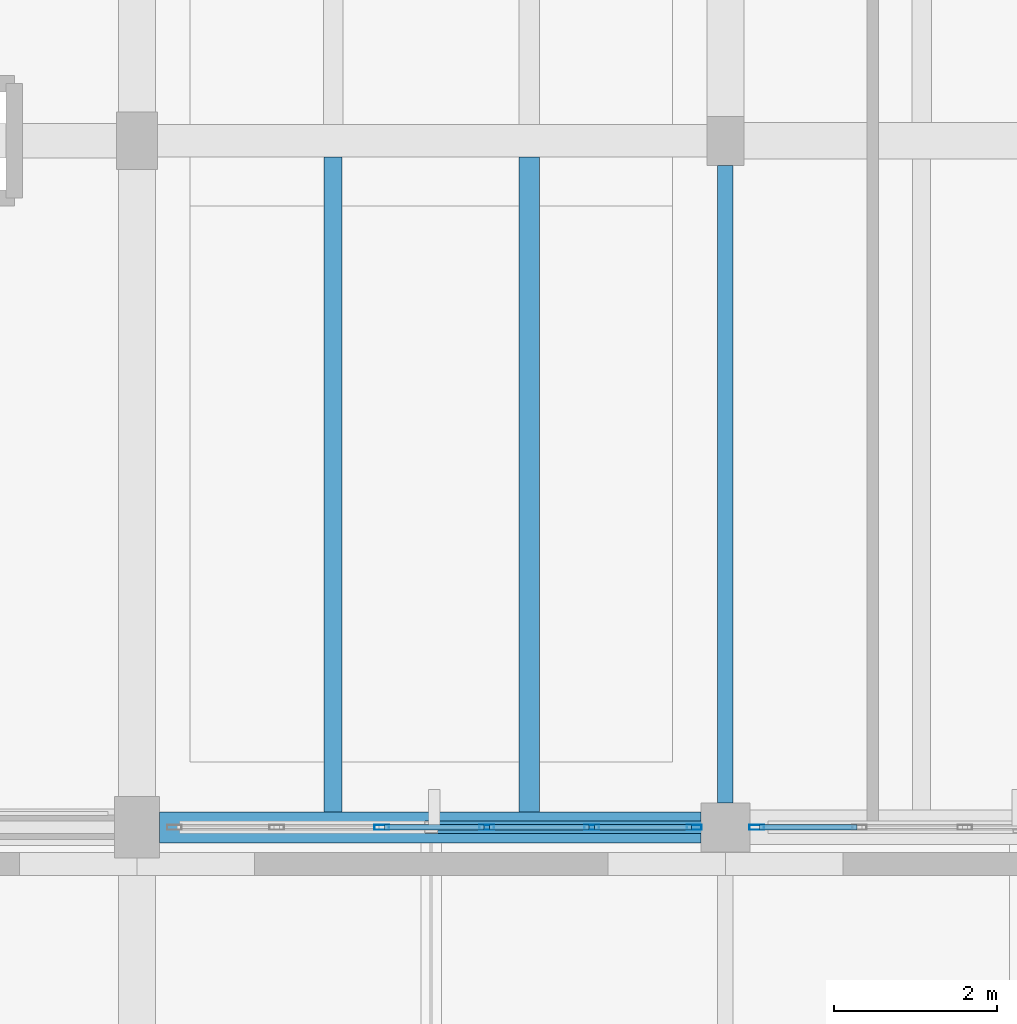
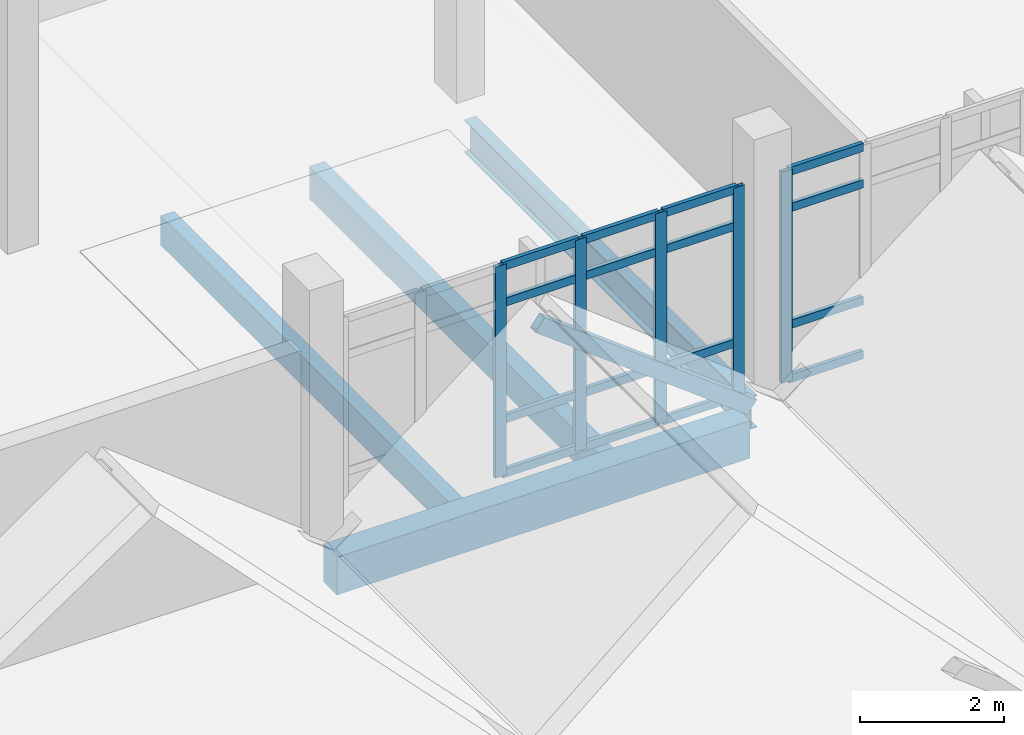
# One storey, part 9 of 41: 22 members, 4 beams, 2 elements without a shape of their own.
"""IFC4 building model written with IfcOpenShell, lengths in metres."""

from ifc_helpers import new_model, si_unit, direction, frame, origin, origin_2d, place, context, subcontext, project, spatial, rectangle, hollow_rectangle, i_section, extrude, material, material_profile, profile_set, type_object, element, aggregate, save


model = new_model("IFC4")

# Units and contexts
model_context = context("Model", 3, precision=1e-05, world=origin(), true_north=direction((0.0, 1.0)))
body_context = subcontext(model_context, "Body", "Model", "MODEL_VIEW")
ifc_project = project(units=[si_unit("LENGTHUNIT", "METRE"), si_unit("AREAUNIT", "SQUARE_METRE"), si_unit("VOLUMEUNIT", "CUBIC_METRE"), si_unit("PLANEANGLEUNIT", "RADIAN"), si_unit("MASSUNIT", "GRAM", prefix="KILO")], contexts=[model_context])

# Site, building, storey
site_placement = place(None, origin())
site = spatial("IfcSite", under=ifc_project, at=site_placement, CompositionType="ELEMENT")
building_placement = place(site_placement, origin())
building = spatial("IfcBuilding", under=site, at=building_placement, Name="Kalluvel Institute of Natural Sciences", CompositionType="ELEMENT")
storey_placement = place(building_placement, frame((0.0, 0.0, 32.39990234375)))
storey = spatial("IfcBuildingStorey", under=building, at=storey_placement, Name="L07", CompositionType="ELEMENT", Elevation=32.39990234375)

# Beams
ifc_material_1 = material(Name="Steel E350 Grade 350", Category="steel")
ifc_material_profile_1 = material_profile(ifc_material_1, i_section(OverallWidth=0.18994140625, OverallDepth=0.550048828125, WebThickness=0.01123046875, FlangeThickness=0.019287109375, FilletRadius=0.01806640625, at=origin_2d()), Name="ISMB 550")
ifc_profile_set_1 = profile_set([ifc_material_profile_1], Name="Steel E350 Grade 350")
beam_type_1 = type_object("IfcBeamType", Name="BM-ISMB550", PredefinedType="BEAM", material=ifc_profile_set_1)
beam_1_placement = place(storey_placement, frame((28.39990234375, 103.10009765625, -0.594970703125), z_axis=(0.0, 1.0, 0.0), x_axis=(-1.0, 0.0, 0.0)))
element("IfcBeam", 1, at=beam_1_placement, inside=storey, type_object=beam_type_1, Name="L07 girder GIR-L07-NS-X284-Y1028", PredefinedType="BEAM", context=body_context, shape_type="SweptSolid", body=[
    extrude(i_section(OverallWidth=0.18994140625, OverallDepth=0.550048828125, WebThickness=0.01123046875, FlangeThickness=0.019287109375, FilletRadius=0.01806640625, at=origin_2d()), origin(), (0.0, 0.0, 1.0), 7.7998046875),
])
ifc_material_2 = material(Name="Concrete M40", Category="concrete")
ifc_material_profile_2 = material_profile(ifc_material_2, rectangle(XDim=0.3798828125, YDim=0.639892578125, at=origin_2d()), Name="RCB 380x640")
ifc_profile_set_2 = profile_set([ifc_material_profile_2], Name="Concrete M40")
beam_type_2 = type_object("IfcBeamType", Name="BM-RC380x640", PredefinedType="BEAM", material=ifc_profile_set_2)
beam_2_placement = place(storey_placement, frame((21.47509765625, 102.800048828125, -0.639892578125), z_axis=(1.0, 0.0, 0.0), x_axis=(0.0, 1.0, 0.0)))
element("IfcBeam", 2, at=beam_2_placement, inside=storey, type_object=beam_type_2, Name="L07 girder GIR-L07-EW-X212-Y1028", PredefinedType="BEAM", context=body_context, shape_type="SweptSolid", body=[
    extrude(rectangle(XDim=0.3798828125, YDim=0.639892578125, at=origin_2d()), origin(), (0.0, 0.0, 1.0), 6.625),
])

# Curtain wall, members
ifc_material_3 = material(Name="Aluminium AW-6063 T6", Category="aluminium")
curtain_wall_type = type_object("IfcCurtainWallType", Name="CW-WET-45", PredefinedType="USERDEFINED", material=ifc_material_3)
curtain_wall_1_placement = place(storey_placement, origin())
curtain_wall_1 = element("IfcCurtainWall", 3, at=curtain_wall_1_placement, inside=storey, type_object=curtain_wall_type, Name="L07 Gothic lancet curtain wall CWA-L07-X216-Y1028", ObjectType="UNITISED LANCET FACADE", PredefinedType="USERDEFINED")
ifc_material_profile_3 = material_profile(ifc_material_3, hollow_rectangle(XDim=0.06494140625, YDim=0.179931640625, WallThickness=0.00439453125, at=origin_2d()), Name="CWM 65x180")
ifc_profile_set_3 = profile_set([ifc_material_profile_3], Name="Aluminium AW-6063 T6")
member_type_1 = type_object("IfcMemberType", Name="CWM-65x180", PredefinedType="MULLION", material=ifc_profile_set_3)
member_1_placement = place(storey_placement, frame((24.195068359375, 102.800048828125, 0.0), z_axis=(0.0, 0.0, 1.0), x_axis=(0.0, 1.0, 0.0)))
member_1 = element("IfcMember", 4, at=member_1_placement, type_object=member_type_1, Name="CW-01 mullion 3", PredefinedType="MULLION", context=body_context, shape_type="SweptSolid", body=[
    extrude(hollow_rectangle(XDim=0.06494140625, YDim=0.179931640625, WallThickness=0.00439453125, at=origin_2d()), origin(), (0.0, 0.0, 1.0), 3.580078125),
])
member_2_placement = place(storey_placement, frame((25.47998046875, 102.800048828125, 0.0), z_axis=(0.0, 0.0, 1.0), x_axis=(0.0, 1.0, 0.0)))
member_2 = element("IfcMember", 5, at=member_2_placement, type_object=member_type_1, Name="CW-01 mullion 4", PredefinedType="MULLION", context=body_context, shape_type="SweptSolid", body=[
    extrude(hollow_rectangle(XDim=0.06494140625, YDim=0.179931640625, WallThickness=0.00439453125, at=origin_2d()), origin(), (0.0, 0.0, 1.0), 3.580078125),
])
member_3_placement = place(storey_placement, frame((26.764892578125, 102.800048828125, 0.0), z_axis=(0.0, 0.0, 1.0), x_axis=(0.0, 1.0, 0.0)))
member_3 = element("IfcMember", 6, at=member_3_placement, type_object=member_type_1, Name="CW-01 mullion 5", PredefinedType="MULLION", context=body_context, shape_type="SweptSolid", body=[
    extrude(hollow_rectangle(XDim=0.06494140625, YDim=0.179931640625, WallThickness=0.00439453125, at=origin_2d()), origin(), (0.0, 0.0, 1.0), 3.580078125),
])
member_4_placement = place(storey_placement, frame((28.017578125, 102.800048828125, 0.0), z_axis=(0.0, 0.0, 1.0), x_axis=(0.0, 1.0, 0.0)))
member_4 = element("IfcMember", 7, at=member_4_placement, type_object=member_type_1, Name="CW-01 mullion 6", PredefinedType="MULLION", context=body_context, shape_type="SweptSolid", body=[
    extrude(hollow_rectangle(XDim=0.06494140625, YDim=0.179931640625, WallThickness=0.00439453125, at=origin_2d()), origin(), (0.0, 0.0, 1.0), 3.580078125),
])

# Curtain wall, member
curtain_wall_2_placement = place(storey_placement, origin())
curtain_wall_2 = element("IfcCurtainWall", 8, at=curtain_wall_2_placement, inside=storey, type_object=curtain_wall_type, Name="L07 Gothic lancet curtain wall CWA-L07-X288-Y1028", ObjectType="UNITISED LANCET FACADE", PredefinedType="USERDEFINED")
member_5_placement = place(storey_placement, frame((28.782470703125, 102.800048828125, 0.0), z_axis=(0.0, 0.0, 1.0), x_axis=(0.0, 1.0, 0.0)))
member_5 = element("IfcMember", 9, at=member_5_placement, type_object=member_type_1, Name="CW-01 mullion 1", PredefinedType="MULLION", context=body_context, shape_type="SweptSolid", body=[
    extrude(hollow_rectangle(XDim=0.06494140625, YDim=0.179931640625, WallThickness=0.00439453125, at=origin_2d()), origin(), (0.0, 0.0, 1.0), 3.580078125),
])

# Member
ifc_material_profile_4 = material_profile(ifc_material_3, hollow_rectangle(XDim=0.06494140625, YDim=0.139892578125, WallThickness=0.00439453125, at=origin_2d()), Name="CWT 65x140")
ifc_profile_set_4 = profile_set([ifc_material_profile_4], Name="Aluminium AW-6063 T6")
member_type_2 = type_object("IfcMemberType", Name="CWT-65x140", PredefinedType="USERDEFINED", material=ifc_profile_set_4)
member_6_placement = place(storey_placement, frame((24.2275390625, 102.800048828125, 0.03271484375), z_axis=(1.0, 0.0, 0.0), x_axis=(0.0, 1.0, 0.0)))
member_6 = element("IfcMember", 10, at=member_6_placement, type_object=member_type_2, Name="CW-01 transom 3.1", ObjectType="TRANSOM", PredefinedType="USERDEFINED", context=body_context, shape_type="SweptSolid", body=[
    extrude(hollow_rectangle(XDim=0.06494140625, YDim=0.139892578125, WallThickness=0.00439453125, at=origin_2d()), origin(), (0.0, 0.0, 1.0), 1.219970703125),
])

member_7_placement = place(storey_placement, frame((24.2275390625, 102.800048828125, 0.9501953125), z_axis=(1.0, 0.0, 0.0), x_axis=(0.0, 1.0, 0.0)))
member_7 = element("IfcMember", 11, at=member_7_placement, type_object=member_type_2, Name="CW-01 transom 3.2", ObjectType="TRANSOM", PredefinedType="USERDEFINED", context=body_context, shape_type="SweptSolid", body=[
    extrude(hollow_rectangle(XDim=0.06494140625, YDim=0.139892578125, WallThickness=0.00439453125, at=origin_2d()), origin(), (0.0, 0.0, 1.0), 1.219970703125),
])

member_8_placement = place(storey_placement, frame((24.2275390625, 102.800048828125, 2.93017578125), z_axis=(1.0, 0.0, 0.0), x_axis=(0.0, 1.0, 0.0)))
member_8 = element("IfcMember", 12, at=member_8_placement, type_object=member_type_2, Name="CW-01 transom 3.3", ObjectType="TRANSOM", PredefinedType="USERDEFINED", context=body_context, shape_type="SweptSolid", body=[
    extrude(hollow_rectangle(XDim=0.06494140625, YDim=0.139892578125, WallThickness=0.00439453125, at=origin_2d()), origin(), (0.0, 0.0, 1.0), 1.219970703125),
])

member_9_placement = place(storey_placement, frame((24.2275390625, 102.800048828125, 3.547607421875), z_axis=(1.0, 0.0, 0.0), x_axis=(0.0, 1.0, 0.0)))
member_9 = element("IfcMember", 13, at=member_9_placement, type_object=member_type_2, Name="CW-01 transom 3.4", ObjectType="TRANSOM", PredefinedType="USERDEFINED", context=body_context, shape_type="SweptSolid", body=[
    extrude(hollow_rectangle(XDim=0.06494140625, YDim=0.139892578125, WallThickness=0.00439453125, at=origin_2d()), origin(), (0.0, 0.0, 1.0), 1.219970703125),
])

member_10_placement = place(storey_placement, frame((25.512451171875, 102.800048828125, 0.03271484375), z_axis=(1.0, 0.0, 0.0), x_axis=(0.0, 1.0, 0.0)))
member_10 = element("IfcMember", 14, at=member_10_placement, type_object=member_type_2, Name="CW-01 transom 4.1", ObjectType="TRANSOM", PredefinedType="USERDEFINED", context=body_context, shape_type="SweptSolid", body=[
    extrude(hollow_rectangle(XDim=0.06494140625, YDim=0.139892578125, WallThickness=0.00439453125, at=origin_2d()), origin(), (0.0, 0.0, 1.0), 1.219970703125),
])

member_11_placement = place(storey_placement, frame((25.512451171875, 102.800048828125, 0.9501953125), z_axis=(1.0, 0.0, 0.0), x_axis=(0.0, 1.0, 0.0)))
member_11 = element("IfcMember", 15, at=member_11_placement, type_object=member_type_2, Name="CW-01 transom 4.2", ObjectType="TRANSOM", PredefinedType="USERDEFINED", context=body_context, shape_type="SweptSolid", body=[
    extrude(hollow_rectangle(XDim=0.06494140625, YDim=0.139892578125, WallThickness=0.00439453125, at=origin_2d()), origin(), (0.0, 0.0, 1.0), 1.219970703125),
])

member_12_placement = place(storey_placement, frame((25.512451171875, 102.800048828125, 2.93017578125), z_axis=(1.0, 0.0, 0.0), x_axis=(0.0, 1.0, 0.0)))
member_12 = element("IfcMember", 16, at=member_12_placement, type_object=member_type_2, Name="CW-01 transom 4.3", ObjectType="TRANSOM", PredefinedType="USERDEFINED", context=body_context, shape_type="SweptSolid", body=[
    extrude(hollow_rectangle(XDim=0.06494140625, YDim=0.139892578125, WallThickness=0.00439453125, at=origin_2d()), origin(), (0.0, 0.0, 1.0), 1.219970703125),
])

member_13_placement = place(storey_placement, frame((25.512451171875, 102.800048828125, 3.547607421875), z_axis=(1.0, 0.0, 0.0), x_axis=(0.0, 1.0, 0.0)))
member_13 = element("IfcMember", 17, at=member_13_placement, type_object=member_type_2, Name="CW-01 transom 4.4", ObjectType="TRANSOM", PredefinedType="USERDEFINED", context=body_context, shape_type="SweptSolid", body=[
    extrude(hollow_rectangle(XDim=0.06494140625, YDim=0.139892578125, WallThickness=0.00439453125, at=origin_2d()), origin(), (0.0, 0.0, 1.0), 1.219970703125),
])

member_14_placement = place(storey_placement, frame((26.797607421875, 102.800048828125, 0.03271484375), z_axis=(1.0, 0.0, 0.0), x_axis=(0.0, 1.0, 0.0)))
member_14 = element("IfcMember", 18, at=member_14_placement, type_object=member_type_2, Name="CW-01 transom 5.1", ObjectType="TRANSOM", PredefinedType="USERDEFINED", context=body_context, shape_type="SweptSolid", body=[
    extrude(hollow_rectangle(XDim=0.06494140625, YDim=0.139892578125, WallThickness=0.00439453125, at=origin_2d()), origin(), (0.0, 0.0, 1.0), 1.1875),
])

member_15_placement = place(storey_placement, frame((26.797607421875, 102.800048828125, 0.9501953125), z_axis=(1.0, 0.0, 0.0), x_axis=(0.0, 1.0, 0.0)))
member_15 = element("IfcMember", 19, at=member_15_placement, type_object=member_type_2, Name="CW-01 transom 5.2", ObjectType="TRANSOM", PredefinedType="USERDEFINED", context=body_context, shape_type="SweptSolid", body=[
    extrude(hollow_rectangle(XDim=0.06494140625, YDim=0.139892578125, WallThickness=0.00439453125, at=origin_2d()), origin(), (0.0, 0.0, 1.0), 1.1875),
])

member_16_placement = place(storey_placement, frame((26.797607421875, 102.800048828125, 2.93017578125), z_axis=(1.0, 0.0, 0.0), x_axis=(0.0, 1.0, 0.0)))
member_16 = element("IfcMember", 20, at=member_16_placement, type_object=member_type_2, Name="CW-01 transom 5.3", ObjectType="TRANSOM", PredefinedType="USERDEFINED", context=body_context, shape_type="SweptSolid", body=[
    extrude(hollow_rectangle(XDim=0.06494140625, YDim=0.139892578125, WallThickness=0.00439453125, at=origin_2d()), origin(), (0.0, 0.0, 1.0), 1.1875),
])

member_17_placement = place(storey_placement, frame((26.797607421875, 102.800048828125, 3.547607421875), z_axis=(1.0, 0.0, 0.0), x_axis=(0.0, 1.0, 0.0)))
member_17 = element("IfcMember", 21, at=member_17_placement, type_object=member_type_2, Name="CW-01 transom 5.4", ObjectType="TRANSOM", PredefinedType="USERDEFINED", context=body_context, shape_type="SweptSolid", body=[
    extrude(hollow_rectangle(XDim=0.06494140625, YDim=0.139892578125, WallThickness=0.00439453125, at=origin_2d()), origin(), (0.0, 0.0, 1.0), 1.1875),
])

aggregate(curtain_wall_1, [member_1, member_2, member_3, member_4, member_6, member_7, member_8, member_9, member_10, member_11, member_12, member_13, member_14, member_15, member_16, member_17])

member_18_placement = place(storey_placement, frame((28.81494140625, 102.800048828125, 0.03271484375), z_axis=(1.0, 0.0, 0.0), x_axis=(0.0, 1.0, 0.0)))
member_18 = element("IfcMember", 22, at=member_18_placement, type_object=member_type_2, Name="CW-01 transom 1.1", ObjectType="TRANSOM", PredefinedType="USERDEFINED", context=body_context, shape_type="SweptSolid", body=[
    extrude(hollow_rectangle(XDim=0.06494140625, YDim=0.139892578125, WallThickness=0.00439453125, at=origin_2d()), origin(), (0.0, 0.0, 1.0), 1.192626953125),
])

member_19_placement = place(storey_placement, frame((28.81494140625, 102.800048828125, 0.9501953125), z_axis=(1.0, 0.0, 0.0), x_axis=(0.0, 1.0, 0.0)))
member_19 = element("IfcMember", 23, at=member_19_placement, type_object=member_type_2, Name="CW-01 transom 1.2", ObjectType="TRANSOM", PredefinedType="USERDEFINED", context=body_context, shape_type="SweptSolid", body=[
    extrude(hollow_rectangle(XDim=0.06494140625, YDim=0.139892578125, WallThickness=0.00439453125, at=origin_2d()), origin(), (0.0, 0.0, 1.0), 1.192626953125),
])

member_20_placement = place(storey_placement, frame((28.81494140625, 102.800048828125, 2.93017578125), z_axis=(1.0, 0.0, 0.0), x_axis=(0.0, 1.0, 0.0)))
member_20 = element("IfcMember", 24, at=member_20_placement, type_object=member_type_2, Name="CW-01 transom 1.3", ObjectType="TRANSOM", PredefinedType="USERDEFINED", context=body_context, shape_type="SweptSolid", body=[
    extrude(hollow_rectangle(XDim=0.06494140625, YDim=0.139892578125, WallThickness=0.00439453125, at=origin_2d()), origin(), (0.0, 0.0, 1.0), 1.192626953125),
])

member_21_placement = place(storey_placement, frame((28.81494140625, 102.800048828125, 3.547607421875), z_axis=(1.0, 0.0, 0.0), x_axis=(0.0, 1.0, 0.0)))
member_21 = element("IfcMember", 25, at=member_21_placement, type_object=member_type_2, Name="CW-01 transom 1.4", ObjectType="TRANSOM", PredefinedType="USERDEFINED", context=body_context, shape_type="SweptSolid", body=[
    extrude(hollow_rectangle(XDim=0.06494140625, YDim=0.139892578125, WallThickness=0.00439453125, at=origin_2d()), origin(), (0.0, 0.0, 1.0), 1.192626953125),
])

aggregate(curtain_wall_2, [member_5, member_18, member_19, member_20, member_21])

ifc_material_profile_5 = material_profile(ifc_material_1, hollow_rectangle(XDim=0.14990234375, YDim=0.25, WallThickness=0.010009765625, at=origin_2d()), Name="RHS 250x150x10")
ifc_profile_set_5 = profile_set([ifc_material_profile_5], Name="Steel E350 Grade 350")
member_type_3 = type_object("IfcMemberType", Name="MB-RAFT-RHS250", PredefinedType="RAFTER", material=ifc_profile_set_5)
member_22_placement = place(storey_placement, frame((28.199951171875, 102.800048828125, -0.199951171875), z_axis=(-0.796596284013, 0.0, 0.604511670935), x_axis=(0.0, -1.0, 0.0)))
element("IfcMember", 26, at=member_22_placement, inside=storey, type_object=member_type_3, Name="Dry Wing Gothic roof rafter E2-102", PredefinedType="RAFTER", context=body_context, shape_type="SweptSolid", body=[
    extrude(hollow_rectangle(XDim=0.14990234375, YDim=0.25, WallThickness=0.010009765625, at=origin_2d()), origin(), (0.0, 0.0, 1.0), 4.26806640625),
])

# Beams
ifc_material_profile_6 = material_profile(ifc_material_2, rectangle(XDim=0.219970703125, YDim=0.5, at=origin_2d()), Name="WAF 220x500")
ifc_profile_set_6 = profile_set([ifc_material_profile_6], Name="Concrete M40")
beam_type_3 = type_object("IfcBeamType", Name="WJ-220x500", PredefinedType="JOIST", material=ifc_profile_set_6)
beam_3_placement = place(storey_placement, frame((23.60009765625, 102.989990234375, -0.56982421875), z_axis=(0.0, 1.0, 0.0), x_axis=(-1.0, 0.0, 0.0)))
element("IfcBeam", 27, at=beam_3_placement, inside=storey, type_object=beam_type_3, Name="L07 waffle joist RIB-L07-0516", PredefinedType="JOIST", context=body_context, shape_type="SweptSolid", body=[
    extrude(rectangle(XDim=0.219970703125, YDim=0.5, at=origin_2d()), origin(), (0.0, 0.0, 1.0), 8.010009765625),
])
ifc_material_profile_7 = material_profile(ifc_material_2, rectangle(XDim=0.25, YDim=0.550048828125, at=origin_2d()), Name="WAF 250x550")
ifc_profile_set_7 = profile_set([ifc_material_profile_7], Name="Concrete M40")
beam_type_4 = type_object("IfcBeamType", Name="WJ-250x550", PredefinedType="JOIST", material=ifc_profile_set_7)
beam_4_placement = place(storey_placement, frame((26.0, 102.989990234375, -0.594970703125), z_axis=(0.0, 1.0, 0.0), x_axis=(-1.0, 0.0, 0.0)))
element("IfcBeam", 28, at=beam_4_placement, inside=storey, type_object=beam_type_4, Name="L07 waffle joist RIB-L07-0517", PredefinedType="JOIST", context=body_context, shape_type="SweptSolid", body=[
    extrude(rectangle(XDim=0.25, YDim=0.550048828125, at=origin_2d()), origin(), (0.0, 0.0, 1.0), 8.010009765625),
])

save(model, "model.ifc")
